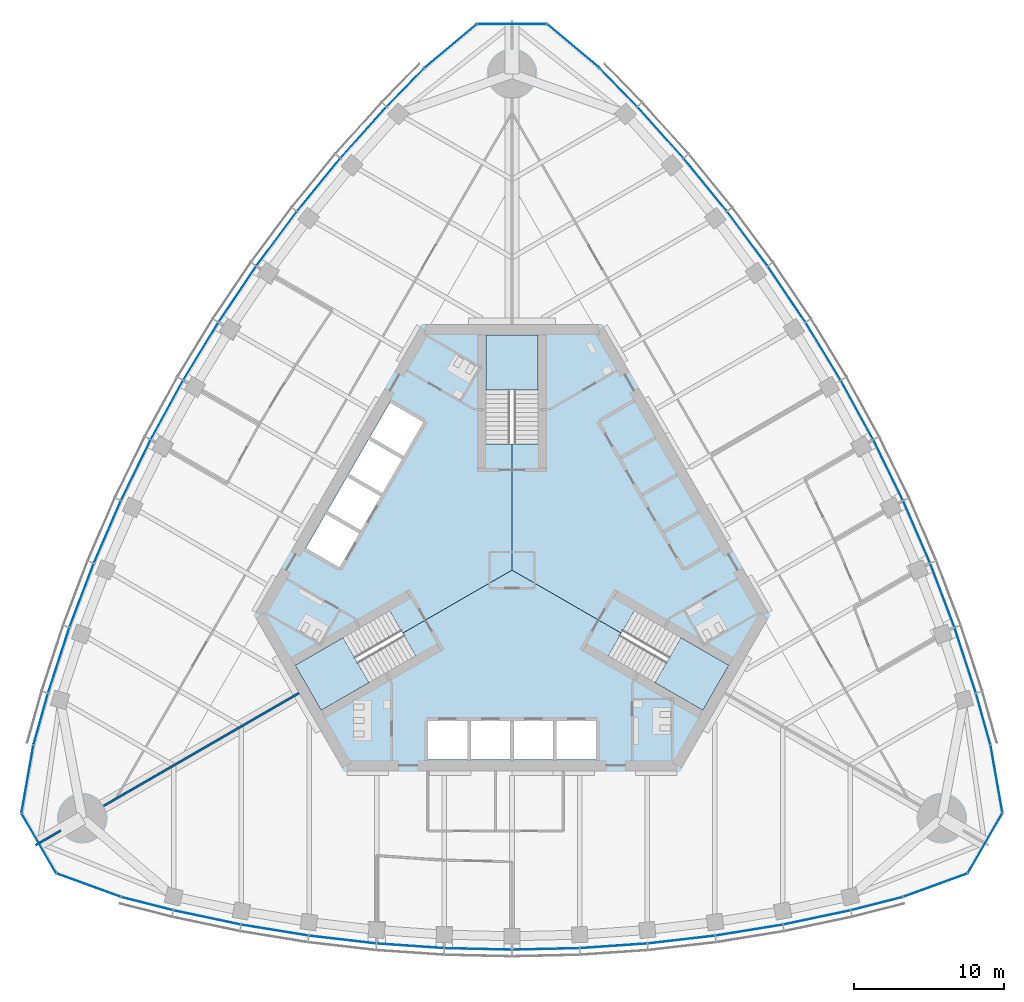
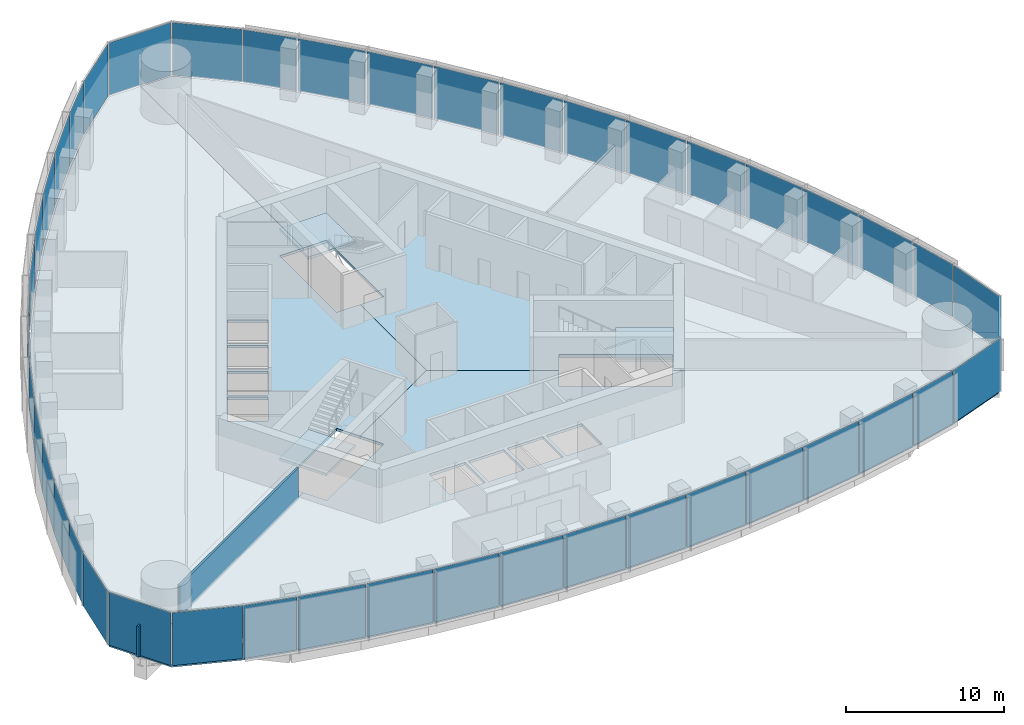
# One storey, part 10 of 19: 45 plates, 6 slabs, 2 walls, 9 elements without a shape of their own.
"""IFC4 building model written with IfcOpenShell, lengths in metres."""

from ifc_helpers import new_model, si_unit, direction, frame, frame_2d, origin, origin_2d, place, context, subcontext, project, spatial, polyline, rectangle, outline, extrude, material, layer, layer_set, type_object, element, aggregate, save


model = new_model("IFC4")

# Units and contexts
model_context = context("Model", 3, precision=1e-05, world=origin(), true_north=direction((0.0, 1.0)))
body_context = subcontext(model_context, "Body", "Model", "MODEL_VIEW")
ifc_project = project(units=[si_unit("LENGTHUNIT", "METRE"), si_unit("AREAUNIT", "SQUARE_METRE"), si_unit("VOLUMEUNIT", "CUBIC_METRE"), si_unit("PLANEANGLEUNIT", "RADIAN"), si_unit("MASSUNIT", "GRAM", prefix="KILO")], contexts=[model_context])

# Site, building, storey
site_placement = place(None, origin())
site = spatial("IfcSite", under=ifc_project, at=site_placement, CompositionType="ELEMENT")
building_placement = place(site_placement, origin())
building = spatial("IfcBuilding", under=site, at=building_placement, Name="Trefoil Bronze Tower", CompositionType="ELEMENT")
storey_placement = place(building_placement, frame((0.0, 0.0, 240.10009765625)))
storey = spatial("IfcBuildingStorey", under=building, at=storey_placement, Name="L55", CompositionType="ELEMENT", Elevation=240.10009765625)

# Curtain wall, plates
ifc_material_1 = material(Name="Tinted solar-control glass", Category="glass")
curtain_wall_type_1 = type_object("IfcCurtainWallType", Name="Bronze office curtain wall", PredefinedType="USERDEFINED", material=ifc_material_1)
curtain_wall_1_placement = place(storey_placement, origin())
curtain_wall_1 = element("IfcCurtainWall", 1, at=curtain_wall_1_placement, inside=storey, type_object=curtain_wall_type_1, Name="CW-A L55 F1", ObjectType="CURTAIN WALL", PredefinedType="USERDEFINED")
ifc_material_2 = material(Name="Tinted solar-control glass", Category="glass")
ifc_layer_1 = layer(ifc_material_2, 0.030029296875)
ifc_layer_set_1 = layer_set([ifc_layer_1], Name="Bronze office curtain wall glass panel")
plate_type_1 = type_object("IfcPlateType", Name="Bronze office curtain wall glass panel", PredefinedType="CURTAIN_PANEL", material=ifc_layer_set_1)
plate_1_placement = place(storey_placement, frame((-24.251220703125, -22.188232421875, -0.000244140625), z_axis=(0.0, 0.0, 1.0), x_axis=(0.968934035393, -0.247319297786, 0.0)))
plate_1 = element("IfcPlate", 2, at=plate_1_placement, type_object=plate_type_1, Name="CW-A L55 F1 panel 1", PredefinedType="CURTAIN_PANEL", context=body_context, shape_type="SweptSolid", body=[
    extrude(rectangle(XDim=3.483642578125, YDim=0.030029296875, at=origin_2d()), origin(), (0.0, 0.0, 1.0), 4.080078125),
])
plate_2_placement = place(storey_placement, frame((-20.270751953125, -23.105224609375, -0.000244140625), z_axis=(0.0, 0.0, 1.0), x_axis=(0.978394335897, -0.20674748725, 0.0)))
plate_2 = element("IfcPlate", 3, at=plate_2_placement, type_object=plate_type_1, Name="CW-A L55 F1 panel 2", PredefinedType="CURTAIN_PANEL", context=body_context, shape_type="SweptSolid", body=[
    extrude(rectangle(XDim=4.519287109375, YDim=0.030029296875, at=origin_2d()), origin(), (0.0, 0.0, 1.0), 4.080078125),
])
plate_3_placement = place(storey_placement, frame((-15.76611328125, -23.9482421875, -0.000244140625), z_axis=(0.0, 0.0, 1.0), x_axis=(0.986986549528, -0.160802832848, 0.0)))
plate_3 = element("IfcPlate", 4, at=plate_3_placement, type_object=plate_type_1, Name="CW-A L55 F1 panel 3", PredefinedType="CURTAIN_PANEL", context=body_context, shape_type="SweptSolid", body=[
    extrude(rectangle(XDim=4.479248046875, YDim=0.030029296875, at=origin_2d()), origin(), (0.0, 0.0, 1.0), 4.080078125),
])
plate_4_placement = place(storey_placement, frame((-11.261474609375, -24.57568359375, -0.000244140625), z_axis=(0.0, 0.0, 1.0), x_axis=(0.993381831741, -0.114858767043, 0.0)))
plate_4 = element("IfcPlate", 5, at=plate_4_placement, type_object=plate_type_1, Name="CW-A L55 F1 panel 4", PredefinedType="CURTAIN_PANEL", context=body_context, shape_type="SweptSolid", body=[
    extrude(rectangle(XDim=4.449951171875, YDim=0.030029296875, at=origin_2d()), origin(), (0.0, 0.0, 1.0), 4.080078125),
])
plate_5_placement = place(storey_placement, frame((-6.7568359375, -24.991455078125, -0.000244140625), z_axis=(0.0, 0.0, 1.0), x_axis=(0.99762252804, -0.068915103905, 0.0)))
plate_5 = element("IfcPlate", 6, at=plate_5_placement, type_object=plate_type_1, Name="CW-A L55 F1 panel 5", PredefinedType="CURTAIN_PANEL", context=body_context, shape_type="SweptSolid", body=[
    extrude(rectangle(XDim=4.4306640625, YDim=0.030029296875, at=origin_2d()), origin(), (0.0, 0.0, 1.0), 4.080078125),
])
plate_6_placement = place(storey_placement, frame((-2.252197265625, -25.198974609375, -0.000244140625), z_axis=(0.0, 0.0, 1.0), x_axis=(0.999736116243, -0.022971675577, 0.0)))
plate_6 = element("IfcPlate", 7, at=plate_6_placement, type_object=plate_type_1, Name="CW-A L55 F1 panel 6", PredefinedType="CURTAIN_PANEL", context=body_context, shape_type="SweptSolid", body=[
    extrude(rectangle(XDim=4.421142578125, YDim=0.030029296875, at=origin_2d()), origin(), (0.0, 0.0, 1.0), 4.080078125),
])
plate_7_placement = place(storey_placement, frame((2.252197265625, -25.198974609375, -0.000244140625), z_axis=(0.0, 0.0, 1.0), x_axis=(0.999736116243, 0.022971675577, 0.0)))
plate_7 = element("IfcPlate", 8, at=plate_7_placement, type_object=plate_type_1, Name="CW-A L55 F1 panel 7", PredefinedType="CURTAIN_PANEL", context=body_context, shape_type="SweptSolid", body=[
    extrude(rectangle(XDim=4.421142578125, YDim=0.030029296875, at=origin_2d()), origin(), (0.0, 0.0, 1.0), 4.080078125),
])
plate_8_placement = place(storey_placement, frame((6.7568359375, -24.991455078125, -0.000244140625), z_axis=(0.0, 0.0, 1.0), x_axis=(0.99762252804, 0.068915103905, 0.0)))
plate_8 = element("IfcPlate", 9, at=plate_8_placement, type_object=plate_type_1, Name="CW-A L55 F1 panel 8", PredefinedType="CURTAIN_PANEL", context=body_context, shape_type="SweptSolid", body=[
    extrude(rectangle(XDim=4.4306640625, YDim=0.030029296875, at=origin_2d()), origin(), (0.0, 0.0, 1.0), 4.080078125),
])
plate_9_placement = place(storey_placement, frame((11.261474609375, -24.57568359375, -0.000244140625), z_axis=(0.0, 0.0, 1.0), x_axis=(0.993381831741, 0.114858767043, 0.0)))
plate_9 = element("IfcPlate", 10, at=plate_9_placement, type_object=plate_type_1, Name="CW-A L55 F1 panel 9", PredefinedType="CURTAIN_PANEL", context=body_context, shape_type="SweptSolid", body=[
    extrude(rectangle(XDim=4.449951171875, YDim=0.030029296875, at=origin_2d()), origin(), (0.0, 0.0, 1.0), 4.080078125),
])
plate_10_placement = place(storey_placement, frame((15.76611328125, -23.9482421875, -0.000244140625), z_axis=(0.0, 0.0, 1.0), x_axis=(0.986986549528, 0.160802832848, 0.0)))
plate_10 = element("IfcPlate", 11, at=plate_10_placement, type_object=plate_type_1, Name="CW-A L55 F1 panel 10", PredefinedType="CURTAIN_PANEL", context=body_context, shape_type="SweptSolid", body=[
    extrude(rectangle(XDim=4.479248046875, YDim=0.030029296875, at=origin_2d()), origin(), (0.0, 0.0, 1.0), 4.080078125),
])
plate_11_placement = place(storey_placement, frame((20.270751953125, -23.105224609375, -0.000244140625), z_axis=(0.0, 0.0, 1.0), x_axis=(0.978394335897, 0.20674748725, 0.0)))
plate_11 = element("IfcPlate", 12, at=plate_11_placement, type_object=plate_type_1, Name="CW-A L55 F1 panel 11", PredefinedType="CURTAIN_PANEL", context=body_context, shape_type="SweptSolid", body=[
    extrude(rectangle(XDim=4.519287109375, YDim=0.030029296875, at=origin_2d()), origin(), (0.0, 0.0, 1.0), 4.080078125),
])
plate_12_placement = place(storey_placement, frame((24.251220703125, -22.188232421875, -0.000244140625), z_axis=(0.0, 0.0, 1.0), x_axis=(0.968934035393, 0.247319297786, 0.0)))
plate_12 = element("IfcPlate", 13, at=plate_12_placement, type_object=plate_type_1, Name="CW-A L55 F1 panel 12", PredefinedType="CURTAIN_PANEL", context=body_context, shape_type="SweptSolid", body=[
    extrude(rectangle(XDim=3.483642578125, YDim=0.030029296875, at=origin_2d()), origin(), (0.0, 0.0, 1.0), 4.080078125),
])
aggregate(curtain_wall_1, [plate_1, plate_2, plate_3, plate_4, plate_5, plate_6, plate_7, plate_8, plate_9, plate_10, plate_11, plate_12])

curtain_wall_2_placement = place(storey_placement, origin())
curtain_wall_2 = element("IfcCurtainWall", 14, at=curtain_wall_2_placement, inside=storey, type_object=curtain_wall_type_1, Name="CW-A L55 F2", ObjectType="CURTAIN WALL", PredefinedType="USERDEFINED")
plate_13_placement = place(storey_placement, frame((31.341064453125, -9.907958984375, -0.000244140625), z_axis=(0.0, 0.0, 1.0), x_axis=(-0.270282222968, 0.962781138134, 0.0)))
plate_13 = element("IfcPlate", 15, at=plate_13_placement, type_object=plate_type_1, Name="CW-A L55 F2 panel 1", PredefinedType="CURTAIN_PANEL", context=body_context, shape_type="SweptSolid", body=[
    extrude(rectangle(XDim=3.483642578125, YDim=0.030029296875, at=origin_2d()), origin(), (0.0, 0.0, 1.0), 4.080078125),
])
plate_14_placement = place(storey_placement, frame((30.14501953125, -6.002197265625, -0.000244140625), z_axis=(0.0, 0.0, 1.0), x_axis=(-0.310148591821, 0.950688093431, 0.0)))
plate_14 = element("IfcPlate", 16, at=plate_14_placement, type_object=plate_type_1, Name="CW-A L55 F2 panel 2", PredefinedType="CURTAIN_PANEL", context=body_context, shape_type="SweptSolid", body=[
    extrude(rectangle(XDim=4.519287109375, YDim=0.030029296875, at=origin_2d()), origin(), (0.0, 0.0, 1.0), 4.080078125),
])
plate_15_placement = place(storey_placement, frame((28.622802734375, -1.6796875, -0.000244140625), z_axis=(0.0, 0.0, 1.0), x_axis=(-0.354233936517, 0.935156841508, 0.0)))
plate_15 = element("IfcPlate", 17, at=plate_15_placement, type_object=plate_type_1, Name="CW-A L55 F2 panel 3", PredefinedType="CURTAIN_PANEL", context=body_context, shape_type="SweptSolid", body=[
    extrude(rectangle(XDim=4.479248046875, YDim=0.030029296875, at=origin_2d()), origin(), (0.0, 0.0, 1.0), 4.080078125),
])
plate_16_placement = place(storey_placement, frame((26.913818359375, 2.53515625, -0.000244140625), z_axis=(0.0, 0.0, 1.0), x_axis=(-0.397220305764, 0.917723285467, 0.0)))
plate_16 = element("IfcPlate", 18, at=plate_16_placement, type_object=plate_type_1, Name="CW-A L55 F2 panel 4", PredefinedType="CURTAIN_PANEL", context=body_context, shape_type="SweptSolid", body=[
    extrude(rectangle(XDim=4.449951171875, YDim=0.030029296875, at=origin_2d()), origin(), (0.0, 0.0, 1.0), 4.080078125),
])
plate_17_placement = place(storey_placement, frame((25.021728515625, 6.64404296875, -0.000244140625), z_axis=(0.0, 0.0, 1.0), x_axis=(-0.439129033334, 0.898424004623, 0.0)))
plate_17 = element("IfcPlate", 19, at=plate_17_placement, type_object=plate_type_1, Name="CW-A L55 F2 panel 5", PredefinedType="CURTAIN_PANEL", context=body_context, shape_type="SweptSolid", body=[
    extrude(rectangle(XDim=4.4306640625, YDim=0.030029296875, at=origin_2d()), origin(), (0.0, 0.0, 1.0), 4.080078125),
])
plate_18_placement = place(storey_placement, frame((22.948974609375, 10.64892578125, -0.000244140625), z_axis=(0.0, 0.0, 1.0), x_axis=(-0.479974003504, 0.877282711536, 0.0)))
plate_18 = element("IfcPlate", 20, at=plate_18_placement, type_object=plate_type_1, Name="CW-A L55 F2 panel 6", PredefinedType="CURTAIN_PANEL", context=body_context, shape_type="SweptSolid", body=[
    extrude(rectangle(XDim=4.421142578125, YDim=0.030029296875, at=origin_2d()), origin(), (0.0, 0.0, 1.0), 4.080078125),
])
plate_19_placement = place(storey_placement, frame((20.69677734375, 14.550048828125, -0.000244140625), z_axis=(0.0, 0.0, 1.0), x_axis=(-0.519762112739, 0.854311035959, 0.0)))
plate_19 = element("IfcPlate", 21, at=plate_19_placement, type_object=plate_type_1, Name="CW-A L55 F2 panel 7", PredefinedType="CURTAIN_PANEL", context=body_context, shape_type="SweptSolid", body=[
    extrude(rectangle(XDim=4.421142578125, YDim=0.030029296875, at=origin_2d()), origin(), (0.0, 0.0, 1.0), 4.080078125),
])
plate_20_placement = place(storey_placement, frame((18.264892578125, 18.347412109375, -0.000244140625), z_axis=(0.0, 0.0, 1.0), x_axis=(-0.558493494706, 0.829508900718, 0.0)))
plate_20 = element("IfcPlate", 22, at=plate_20_placement, type_object=plate_type_1, Name="CW-A L55 F2 panel 8", PredefinedType="CURTAIN_PANEL", context=body_context, shape_type="SweptSolid", body=[
    extrude(rectangle(XDim=4.4306640625, YDim=0.030029296875, at=origin_2d()), origin(), (0.0, 0.0, 1.0), 4.080078125),
])
plate_21_placement = place(storey_placement, frame((15.65234375, 22.04052734375, -0.000244140625), z_axis=(0.0, 0.0, 1.0), x_axis=(-0.596161525977, 0.802864518425, 0.0)))
plate_21 = element("IfcPlate", 23, at=plate_21_placement, type_object=plate_type_1, Name="CW-A L55 F2 panel 9", PredefinedType="CURTAIN_PANEL", context=body_context, shape_type="SweptSolid", body=[
    extrude(rectangle(XDim=4.449951171875, YDim=0.030029296875, at=origin_2d()), origin(), (0.0, 0.0, 1.0), 4.080078125),
])
plate_22_placement = place(storey_placement, frame((12.856689453125, 25.6279296875, -0.000244140625), z_axis=(0.0, 0.0, 1.0), x_axis=(-0.63275261301, 0.774354008661, 0.0)))
plate_22 = element("IfcPlate", 24, at=plate_22_placement, type_object=plate_type_1, Name="CW-A L55 F2 panel 10", PredefinedType="CURTAIN_PANEL", context=body_context, shape_type="SweptSolid", body=[
    extrude(rectangle(XDim=4.479248046875, YDim=0.030029296875, at=origin_2d()), origin(), (0.0, 0.0, 1.0), 4.080078125),
])
plate_23_placement = place(storey_placement, frame((9.87451171875, 29.107666015625, -0.000244140625), z_axis=(0.0, 0.0, 1.0), x_axis=(-0.668245744076, 0.743940606181, 0.0)))
plate_23 = element("IfcPlate", 25, at=plate_23_placement, type_object=plate_type_1, Name="CW-A L55 F2 panel 11", PredefinedType="CURTAIN_PANEL", context=body_context, shape_type="SweptSolid", body=[
    extrude(rectangle(XDim=4.519287109375, YDim=0.030029296875, at=origin_2d()), origin(), (0.0, 0.0, 1.0), 4.080078125),
])
plate_24_placement = place(storey_placement, frame((7.08984375, 32.09619140625, -0.000244140625), z_axis=(0.0, 0.0, 1.0), x_axis=(-0.698651812425, 0.715461840349, 0.0)))
plate_24 = element("IfcPlate", 26, at=plate_24_placement, type_object=plate_type_1, Name="CW-A L55 F2 panel 12", PredefinedType="CURTAIN_PANEL", context=body_context, shape_type="SweptSolid", body=[
    extrude(rectangle(XDim=3.483642578125, YDim=0.030029296875, at=origin_2d()), origin(), (0.0, 0.0, 1.0), 4.080078125),
])
aggregate(curtain_wall_2, [plate_13, plate_14, plate_15, plate_16, plate_17, plate_18, plate_19, plate_20, plate_21, plate_22, plate_23, plate_24])

curtain_wall_3_placement = place(storey_placement, origin())
curtain_wall_3 = element("IfcCurtainWall", 27, at=curtain_wall_3_placement, inside=storey, type_object=curtain_wall_type_1, Name="CW-A L55 F3", ObjectType="CURTAIN WALL", PredefinedType="USERDEFINED")
plate_25_placement = place(storey_placement, frame((-7.08984375, 32.09619140625, -0.000244140625), z_axis=(0.0, 0.0, 1.0), x_axis=(-0.698651812425, -0.715461840349, 0.0)))
plate_25 = element("IfcPlate", 28, at=plate_25_placement, type_object=plate_type_1, Name="CW-A L55 F3 panel 1", PredefinedType="CURTAIN_PANEL", context=body_context, shape_type="SweptSolid", body=[
    extrude(rectangle(XDim=3.483642578125, YDim=0.030029296875, at=origin_2d()), origin(), (0.0, 0.0, 1.0), 4.080078125),
])
plate_26_placement = place(storey_placement, frame((-9.87451171875, 29.107666015625, -0.000244140625), z_axis=(0.0, 0.0, 1.0), x_axis=(-0.668245744076, -0.743940606181, 0.0)))
plate_26 = element("IfcPlate", 29, at=plate_26_placement, type_object=plate_type_1, Name="CW-A L55 F3 panel 2", PredefinedType="CURTAIN_PANEL", context=body_context, shape_type="SweptSolid", body=[
    extrude(rectangle(XDim=4.519287109375, YDim=0.030029296875, at=origin_2d()), origin(), (0.0, 0.0, 1.0), 4.080078125),
])
plate_27_placement = place(storey_placement, frame((-12.856689453125, 25.6279296875, -0.000244140625), z_axis=(0.0, 0.0, 1.0), x_axis=(-0.63275261301, -0.774354008661, 0.0)))
plate_27 = element("IfcPlate", 30, at=plate_27_placement, type_object=plate_type_1, Name="CW-A L55 F3 panel 3", PredefinedType="CURTAIN_PANEL", context=body_context, shape_type="SweptSolid", body=[
    extrude(rectangle(XDim=4.479248046875, YDim=0.030029296875, at=origin_2d()), origin(), (0.0, 0.0, 1.0), 4.080078125),
])
plate_28_placement = place(storey_placement, frame((-15.65234375, 22.04052734375, -0.000244140625), z_axis=(0.0, 0.0, 1.0), x_axis=(-0.596161525977, -0.802864518425, 0.0)))
plate_28 = element("IfcPlate", 31, at=plate_28_placement, type_object=plate_type_1, Name="CW-A L55 F3 panel 4", PredefinedType="CURTAIN_PANEL", context=body_context, shape_type="SweptSolid", body=[
    extrude(rectangle(XDim=4.449951171875, YDim=0.030029296875, at=origin_2d()), origin(), (0.0, 0.0, 1.0), 4.080078125),
])
plate_29_placement = place(storey_placement, frame((-18.264892578125, 18.347412109375, -0.000244140625), z_axis=(0.0, 0.0, 1.0), x_axis=(-0.558493494706, -0.829508900718, 0.0)))
plate_29 = element("IfcPlate", 32, at=plate_29_placement, type_object=plate_type_1, Name="CW-A L55 F3 panel 5", PredefinedType="CURTAIN_PANEL", context=body_context, shape_type="SweptSolid", body=[
    extrude(rectangle(XDim=4.4306640625, YDim=0.030029296875, at=origin_2d()), origin(), (0.0, 0.0, 1.0), 4.080078125),
])
plate_30_placement = place(storey_placement, frame((-20.69677734375, 14.550048828125, -0.000244140625), z_axis=(0.0, 0.0, 1.0), x_axis=(-0.519762112739, -0.854311035959, 0.0)))
plate_30 = element("IfcPlate", 33, at=plate_30_placement, type_object=plate_type_1, Name="CW-A L55 F3 panel 6", PredefinedType="CURTAIN_PANEL", context=body_context, shape_type="SweptSolid", body=[
    extrude(rectangle(XDim=4.421142578125, YDim=0.030029296875, at=origin_2d()), origin(), (0.0, 0.0, 1.0), 4.080078125),
])
plate_31_placement = place(storey_placement, frame((-22.948974609375, 10.64892578125, -0.000244140625), z_axis=(0.0, 0.0, 1.0), x_axis=(-0.479974003504, -0.877282711536, 0.0)))
plate_31 = element("IfcPlate", 34, at=plate_31_placement, type_object=plate_type_1, Name="CW-A L55 F3 panel 7", PredefinedType="CURTAIN_PANEL", context=body_context, shape_type="SweptSolid", body=[
    extrude(rectangle(XDim=4.421142578125, YDim=0.030029296875, at=origin_2d()), origin(), (0.0, 0.0, 1.0), 4.080078125),
])
plate_32_placement = place(storey_placement, frame((-25.021728515625, 6.64404296875, -0.000244140625), z_axis=(0.0, 0.0, 1.0), x_axis=(-0.439129033334, -0.898424004623, 0.0)))
plate_32 = element("IfcPlate", 35, at=plate_32_placement, type_object=plate_type_1, Name="CW-A L55 F3 panel 8", PredefinedType="CURTAIN_PANEL", context=body_context, shape_type="SweptSolid", body=[
    extrude(rectangle(XDim=4.4306640625, YDim=0.030029296875, at=origin_2d()), origin(), (0.0, 0.0, 1.0), 4.080078125),
])
plate_33_placement = place(storey_placement, frame((-26.913818359375, 2.53515625, -0.000244140625), z_axis=(0.0, 0.0, 1.0), x_axis=(-0.397220305764, -0.917723285467, 0.0)))
plate_33 = element("IfcPlate", 36, at=plate_33_placement, type_object=plate_type_1, Name="CW-A L55 F3 panel 9", PredefinedType="CURTAIN_PANEL", context=body_context, shape_type="SweptSolid", body=[
    extrude(rectangle(XDim=4.449951171875, YDim=0.030029296875, at=origin_2d()), origin(), (0.0, 0.0, 1.0), 4.080078125),
])
plate_34_placement = place(storey_placement, frame((-28.622802734375, -1.6796875, -0.000244140625), z_axis=(0.0, 0.0, 1.0), x_axis=(-0.354233936517, -0.935156841508, 0.0)))
plate_34 = element("IfcPlate", 37, at=plate_34_placement, type_object=plate_type_1, Name="CW-A L55 F3 panel 10", PredefinedType="CURTAIN_PANEL", context=body_context, shape_type="SweptSolid", body=[
    extrude(rectangle(XDim=4.479248046875, YDim=0.030029296875, at=origin_2d()), origin(), (0.0, 0.0, 1.0), 4.080078125),
])
plate_35_placement = place(storey_placement, frame((-30.14501953125, -6.002197265625, -0.000244140625), z_axis=(0.0, 0.0, 1.0), x_axis=(-0.310148591821, -0.950688093431, 0.0)))
plate_35 = element("IfcPlate", 38, at=plate_35_placement, type_object=plate_type_1, Name="CW-A L55 F3 panel 11", PredefinedType="CURTAIN_PANEL", context=body_context, shape_type="SweptSolid", body=[
    extrude(rectangle(XDim=4.519287109375, YDim=0.030029296875, at=origin_2d()), origin(), (0.0, 0.0, 1.0), 4.080078125),
])
plate_36_placement = place(storey_placement, frame((-31.341064453125, -9.907958984375, -0.000244140625), z_axis=(0.0, 0.0, 1.0), x_axis=(-0.270282222968, -0.962781138134, 0.0)))
plate_36 = element("IfcPlate", 39, at=plate_36_placement, type_object=plate_type_1, Name="CW-A L55 F3 panel 12", PredefinedType="CURTAIN_PANEL", context=body_context, shape_type="SweptSolid", body=[
    extrude(rectangle(XDim=3.483642578125, YDim=0.030029296875, at=origin_2d()), origin(), (0.0, 0.0, 1.0), 4.080078125),
])
aggregate(curtain_wall_3, [plate_25, plate_26, plate_27, plate_28, plate_29, plate_30, plate_31, plate_32, plate_33, plate_34, plate_35, plate_36])

ifc_material_3 = material(Name="Tinted solar-control glass", Category="glass")
curtain_wall_type_2 = type_object("IfcCurtainWallType", Name="Bronze rounded corner curtain wall", PredefinedType="USERDEFINED", material=ifc_material_3)
curtain_wall_4_placement = place(storey_placement, origin())
curtain_wall_4 = element("IfcCurtainWall", 40, at=curtain_wall_4_placement, inside=storey, type_object=curtain_wall_type_2, Name="CW-B L55 K1", ObjectType="CURTAIN WALL", PredefinedType="USERDEFINED")
ifc_material_4 = material(Name="Tinted solar-control glass", Category="glass")
ifc_layer_2 = layer(ifc_material_4, 0.030029296875)
ifc_layer_set_2 = layer_set([ifc_layer_2], Name="Bronze rounded corner curtain wall glass panel")
plate_type_2 = type_object("IfcPlateType", Name="Bronze rounded corner curtain wall glass panel", PredefinedType="CURTAIN_PANEL", material=ifc_layer_set_2)
plate_37_placement = place(storey_placement, frame((28.1298828125, -20.96484375, -0.000244140625), z_axis=(0.0, 0.0, 1.0), x_axis=(0.939692620786, 0.342020143326, 0.0)))
plate_37 = element("IfcPlate", 41, at=plate_37_placement, type_object=plate_type_2, Name="CW-B L55 K1 panel 1", PredefinedType="CURTAIN_PANEL", context=body_context, shape_type="SweptSolid", body=[
    extrude(rectangle(XDim=4.500244140625, YDim=0.030029296875, at=origin_2d()), origin(), (0.0, 0.0, 1.0), 4.080078125),
])
plate_38_placement = place(storey_placement, frame((31.46484375, -18.166259765625, -0.000244140625), z_axis=(0.0, 0.0, 1.0), x_axis=(0.5, 0.866025403784, 0.0)))
plate_38 = element("IfcPlate", 42, at=plate_38_placement, type_object=plate_type_2, Name="CW-B L55 K1 panel 2", PredefinedType="CURTAIN_PANEL", context=body_context, shape_type="SweptSolid", body=[
    extrude(rectangle(XDim=4.500244140625, YDim=0.030029296875, at=origin_2d()), origin(), (0.0, 0.0, 1.0), 4.080078125),
])
plate_39_placement = place(storey_placement, frame((32.220947265625, -13.878662109375, -0.000244140625), z_axis=(0.0, 0.0, 1.0), x_axis=(-0.173648177667, 0.984807753012, 0.0)))
plate_39 = element("IfcPlate", 43, at=plate_39_placement, type_object=plate_type_2, Name="CW-B L55 K1 panel 3", PredefinedType="CURTAIN_PANEL", context=body_context, shape_type="SweptSolid", body=[
    extrude(rectangle(XDim=4.500244140625, YDim=0.030029296875, at=origin_2d()), origin(), (0.0, 0.0, 1.0), 4.080078125),
])
aggregate(curtain_wall_4, [plate_37, plate_38, plate_39])

curtain_wall_5_placement = place(storey_placement, origin())
curtain_wall_5 = element("IfcCurtainWall", 44, at=curtain_wall_5_placement, inside=storey, type_object=curtain_wall_type_2, Name="CW-B L55 K2", ObjectType="CURTAIN WALL", PredefinedType="USERDEFINED")
plate_40_placement = place(storey_placement, frame((4.091064453125, 34.843505859375, -0.000244140625), z_axis=(0.0, 0.0, 1.0), x_axis=(-0.766044443119, 0.642787609687, 0.0)))
plate_40 = element("IfcPlate", 45, at=plate_40_placement, type_object=plate_type_2, Name="CW-B L55 K2 panel 1", PredefinedType="CURTAIN_PANEL", context=body_context, shape_type="SweptSolid", body=[
    extrude(rectangle(XDim=4.500244140625, YDim=0.030029296875, at=origin_2d()), origin(), (0.0, 0.0, 1.0), 4.080078125),
])
plate_41_placement = place(storey_placement, frame((0.0, 36.33251953125, -0.000244140625), z_axis=(0.0, 0.0, 1.0), x_axis=(-1.0, 0.0, 0.0)))
plate_41 = element("IfcPlate", 46, at=plate_41_placement, type_object=plate_type_2, Name="CW-B L55 K2 panel 2", PredefinedType="CURTAIN_PANEL", context=body_context, shape_type="SweptSolid", body=[
    extrude(rectangle(XDim=4.500244140625, YDim=0.030029296875, at=origin_2d()), origin(), (0.0, 0.0, 1.0), 4.080078125),
])
plate_42_placement = place(storey_placement, frame((-4.091064453125, 34.843505859375, -0.000244140625), z_axis=(0.0, 0.0, 1.0), x_axis=(-0.766044443119, -0.642787609687, 0.0)))
plate_42 = element("IfcPlate", 47, at=plate_42_placement, type_object=plate_type_2, Name="CW-B L55 K2 panel 3", PredefinedType="CURTAIN_PANEL", context=body_context, shape_type="SweptSolid", body=[
    extrude(rectangle(XDim=4.500244140625, YDim=0.030029296875, at=origin_2d()), origin(), (0.0, 0.0, 1.0), 4.080078125),
])
aggregate(curtain_wall_5, [plate_40, plate_41, plate_42])

curtain_wall_6_placement = place(storey_placement, origin())
curtain_wall_6 = element("IfcCurtainWall", 48, at=curtain_wall_6_placement, inside=storey, type_object=curtain_wall_type_2, Name="CW-B L55 K3", ObjectType="CURTAIN WALL", PredefinedType="USERDEFINED")
plate_43_placement = place(storey_placement, frame((-32.220947265625, -13.878662109375, -0.000244140625), z_axis=(0.0, 0.0, 1.0), x_axis=(-0.173648177667, -0.984807753012, 0.0)))
plate_43 = element("IfcPlate", 49, at=plate_43_placement, type_object=plate_type_2, Name="CW-B L55 K3 panel 1", PredefinedType="CURTAIN_PANEL", context=body_context, shape_type="SweptSolid", body=[
    extrude(rectangle(XDim=4.500244140625, YDim=0.030029296875, at=origin_2d()), origin(), (0.0, 0.0, 1.0), 4.080078125),
])
plate_44_placement = place(storey_placement, frame((-31.46484375, -18.166259765625, -0.000244140625), z_axis=(0.0, 0.0, 1.0), x_axis=(0.5, -0.866025403784, 0.0)))
plate_44 = element("IfcPlate", 50, at=plate_44_placement, type_object=plate_type_2, Name="CW-B L55 K3 panel 2", PredefinedType="CURTAIN_PANEL", context=body_context, shape_type="SweptSolid", body=[
    extrude(rectangle(XDim=4.500244140625, YDim=0.030029296875, at=origin_2d()), origin(), (0.0, 0.0, 1.0), 4.080078125),
])
plate_45_placement = place(storey_placement, frame((-28.1298828125, -20.96484375, -0.000244140625), z_axis=(0.0, 0.0, 1.0), x_axis=(0.939692620786, -0.342020143326, 0.0)))
plate_45 = element("IfcPlate", 51, at=plate_45_placement, type_object=plate_type_2, Name="CW-B L55 K3 panel 3", PredefinedType="CURTAIN_PANEL", context=body_context, shape_type="SweptSolid", body=[
    extrude(rectangle(XDim=4.500244140625, YDim=0.030029296875, at=origin_2d()), origin(), (0.0, 0.0, 1.0), 4.080078125),
])
aggregate(curtain_wall_6, [plate_43, plate_44, plate_45])

# Slabs
ifc_material_5 = material(Name="Concrete B30", Category="concrete")
ifc_layer_3 = layer(ifc_material_5, 0.199951171875)
ifc_layer_set_3 = layer_set([ifc_layer_3], Name="Floor slab 200")
slab_type_1 = type_object("IfcSlabType", Name="Floor slab 200", PredefinedType="FLOOR", material=ifc_layer_set_3)
slab_1_placement = place(storey_placement, frame((0.0, 0.0, -0.2001953125)))
element("IfcSlab", 52, at=slab_1_placement, inside=storey, type_object=slab_type_1, Name="Floor slab L55 face 1", PredefinedType="FLOOR", context=body_context, shape_type="SweptSolid", body=[
    extrude(outline(polyline([(18.0, -23.48291015625), (13.5, -24.216064453125), (9.0, -24.736328125), (4.5, -25.047119140625), (0.0, -25.150634765625), (-4.5, -25.047119140625), (-9.0, -24.736328125), (-13.5, -24.216064453125), (-18.0, -23.48291015625), (-22.5, -22.531982421875), (-25.952880859375, -21.650634765625), (-30.23828125, -20.0908203125), (-31.37841796875, -18.1162109375), (-13.510009765625, -7.800048828125), (-12.6474609375, -9.2939453125), (-6.412109375, -5.69384765625), (-7.274658203125, -4.199951171875), (0.0, 0.0), (7.274658203125, -4.199951171875), (6.412109375, -5.69384765625), (12.6474609375, -9.2939453125), (13.510009765625, -7.800048828125), (31.37841796875, -18.1162109375), (30.23828125, -20.0908203125), (25.952880859375, -21.650634765625), (22.5, -22.531982421875), (18.0, -23.48291015625)]), holes=[polyline([(-5.574951171875, -10.02490234375), (-2.97509765625, -10.02490234375), (-2.97509765625, -12.60009765625), (-5.574951171875, -12.60009765625), (-5.574951171875, -10.02490234375)]), polyline([(-2.72509765625, -10.02490234375), (-0.125, -10.02490234375), (-0.125, -12.60009765625), (-2.72509765625, -12.60009765625), (-2.72509765625, -10.02490234375)]), polyline([(0.125, -10.02490234375), (2.72509765625, -10.02490234375), (2.72509765625, -12.60009765625), (0.125, -12.60009765625), (0.125, -10.02490234375)]), polyline([(2.97509765625, -10.02490234375), (5.574951171875, -10.02490234375), (5.574951171875, -12.60009765625), (2.97509765625, -12.60009765625), (2.97509765625, -10.02490234375)])]), origin(), (0.0, 0.0, 1.0), 0.2001953125),
])
slab_2_placement = place(storey_placement, frame((0.0, 0.0, -0.2001953125)))
element("IfcSlab", 53, at=slab_2_placement, inside=storey, type_object=slab_type_1, Name="Floor slab L55 face 2", PredefinedType="FLOOR", context=body_context, shape_type="SweptSolid", body=[
    extrude(outline(polyline([(11.3369140625, 27.329833984375), (14.2216796875, 23.79931640625), (16.92236328125, 20.162353515625), (19.441650390625, 16.420654296875), (21.781005859375, 12.575439453125), (23.941650390625, 8.62646484375), (25.92236328125, 4.573974609375), (27.7216796875, 0.416748046875), (29.3369140625, -3.846923828125), (30.76318359375, -8.219482421875), (31.7265625, -11.650634765625), (32.518310546875, -16.1416015625), (31.37841796875, -18.1162109375), (13.510009765625, -7.800048828125), (14.37255859375, -6.30615234375), (8.13720703125, -2.7060546875), (7.274658203125, -4.199951171875), (0.0, 0.0), (0.0, 8.39990234375), (1.72509765625, 8.39990234375), (1.72509765625, 15.60009765625), (0.0, 15.60009765625), (0.0, 36.232666015625), (2.280029296875, 36.232666015625), (5.7734375, 33.30126953125), (8.26318359375, 30.75146484375), (11.3369140625, 27.329833984375)])), origin(), (0.0, 0.0, 1.0), 0.2001953125),
])
slab_3_placement = place(storey_placement, frame((0.0, 0.0, -0.2001953125)))
element("IfcSlab", 54, at=slab_3_placement, inside=storey, type_object=slab_type_1, Name="Floor slab L55 face 3", PredefinedType="FLOOR", context=body_context, shape_type="SweptSolid", body=[
    extrude(outline(polyline([(-29.3369140625, -3.846923828125), (-27.7216796875, 0.416748046875), (-25.92236328125, 4.573974609375), (-23.941650390625, 8.62646484375), (-21.781005859375, 12.575439453125), (-19.441650390625, 16.420654296875), (-16.92236328125, 20.162353515625), (-14.2216796875, 23.79931640625), (-11.3369140625, 27.329833984375), (-8.26318359375, 30.75146484375), (-5.7734375, 33.30126953125), (-2.280029296875, 36.232666015625), (0.0, 36.232666015625), (0.0, 15.60009765625), (-1.72509765625, 15.60009765625), (-1.72509765625, 8.39990234375), (0.0, 8.39990234375), (0.0, 0.0), (-7.274658203125, -4.199951171875), (-8.13720703125, -2.7060546875), (-14.37255859375, -6.30615234375), (-13.510009765625, -7.800048828125), (-31.37841796875, -18.1162109375), (-32.518310546875, -16.1416015625), (-31.7265625, -11.650634765625), (-30.76318359375, -8.219482421875), (-29.3369140625, -3.846923828125)]), holes=[polyline([(-5.894287109375, 9.840576171875), (-7.1943359375, 7.5888671875), (-9.42431640625, 8.87646484375), (-8.12451171875, 11.128173828125), (-5.894287109375, 9.840576171875)]), polyline([(-7.3193359375, 7.372314453125), (-8.619384765625, 5.120849609375), (-10.849365234375, 6.408203125), (-9.54931640625, 8.659912109375), (-7.3193359375, 7.372314453125)]), polyline([(-8.744384765625, 4.904296875), (-10.04443359375, 2.652587890625), (-12.2744140625, 3.940185546875), (-10.974365234375, 6.191650390625), (-8.744384765625, 4.904296875)]), polyline([(-10.16943359375, 2.43603515625), (-11.469482421875, 0.184326171875), (-13.699462890625, 1.471923828125), (-12.3994140625, 3.7236328125), (-10.16943359375, 2.43603515625)])]), origin(), (0.0, 0.0, 1.0), 0.2001953125),
])

# Stair, slab
ifc_material_6 = material(Name="Precast concrete B80", Category="concrete")
stair_type = type_object("IfcStairType", Name="Exit stair 26 risers", PredefinedType="HALF_TURN_STAIR", material=ifc_material_6)
stair_1_placement = place(storey_placement, origin())
stair_1 = element("IfcStair", 55, at=stair_1_placement, inside=storey, type_object=stair_type, Name="Stair ST1 L55", PredefinedType="HALF_TURN_STAIR")
ifc_material_7 = material(Name="Concrete B30", Category="concrete")
ifc_layer_4 = layer(ifc_material_7, 0.199951171875)
ifc_layer_set_4 = layer_set([ifc_layer_4], Name="Stair landing 200")
slab_type_2 = type_object("IfcSlabType", Name="Stair landing 200", PredefinedType="LANDING", material=ifc_layer_set_4)
slab_4_placement = place(storey_placement, frame((0.0, 0.0, 1.89990234375)))
slab_4 = element("IfcSlab", 56, at=slab_4_placement, type_object=slab_type_2, Name="ST1 landing 1", PredefinedType="LANDING", context=body_context, shape_type="SweptSolid", body=[
    extrude(outline(polyline([(9.512451171875, -7.48388671875), (12.69091796875, -9.31884765625), (14.415771484375, -6.3310546875), (11.237548828125, -4.49609375), (9.512451171875, -7.48388671875)])), origin(), (0.0, 0.0, 1.0), 0.199951171875),
])
aggregate(stair_1, [slab_4])

stair_2_placement = place(storey_placement, origin())
stair_2 = element("IfcStair", 57, at=stair_2_placement, inside=storey, type_object=stair_type, Name="Stair ST2 L55", PredefinedType="HALF_TURN_STAIR")
slab_5_placement = place(storey_placement, frame((0.0, 0.0, 1.89990234375)))
slab_5 = element("IfcSlab", 58, at=slab_5_placement, type_object=slab_type_2, Name="ST2 landing 1", PredefinedType="LANDING", context=body_context, shape_type="SweptSolid", body=[
    extrude(outline(polyline([(1.72509765625, 11.97998046875), (1.72509765625, 15.64990234375), (-1.72509765625, 15.64990234375), (-1.72509765625, 11.97998046875), (1.72509765625, 11.97998046875)])), origin(), (0.0, 0.0, 1.0), 0.199951171875),
])
aggregate(stair_2, [slab_5])

stair_3_placement = place(storey_placement, origin())
stair_3 = element("IfcStair", 59, at=stair_3_placement, inside=storey, type_object=stair_type, Name="Stair ST3 L55", PredefinedType="HALF_TURN_STAIR")
slab_6_placement = place(storey_placement, frame((0.0, 0.0, 1.89990234375)))
slab_6 = element("IfcSlab", 60, at=slab_6_placement, type_object=slab_type_2, Name="ST3 landing 1", PredefinedType="LANDING", context=body_context, shape_type="SweptSolid", body=[
    extrude(outline(polyline([(-11.237548828125, -4.49609375), (-14.415771484375, -6.3310546875), (-12.69091796875, -9.31884765625), (-9.512451171875, -7.48388671875), (-11.237548828125, -4.49609375)])), origin(), (0.0, 0.0, 1.0), 0.199951171875),
])
aggregate(stair_3, [slab_6])

# Walls
ifc_material_8 = material(Name="Gypsum board on steel studs", Category="steel")
ifc_layer_5 = layer(ifc_material_8, 0.14990234375)
ifc_layer_set_5 = layer_set([ifc_layer_5], Name="Party wall 150")
wall_type = type_object("IfcWallType", Name="Party wall 150", PredefinedType="PARTITIONING", material=ifc_layer_set_5)
wall_1_placement = place(storey_placement, frame((-14.159423828125, -8.175048828125, 0.0), z_axis=(0.0, 0.0, 1.0), x_axis=(-0.866027028085, -0.499997186618, 0.0)))
element("IfcWall", 61, at=wall_1_placement, inside=storey, type_object=wall_type, Name="Party wall K3 L55", PredefinedType="PARTITIONING", context=body_context, shape_type="SweptSolid", body=[
    extrude(rectangle(XDim=15.0, YDim=0.14990234375, at=frame_2d((7.5, 0.0))), origin(), (0.0, 0.0, 1.0), 2.39990234375),
])
wall_2_placement = place(storey_placement, frame((-30.0078125, -17.324951171875, 0.0), z_axis=(0.0, 0.0, 1.0), x_axis=(-0.866013246922, -0.500021055713, 0.0)))
element("IfcWall", 62, at=wall_2_placement, inside=storey, type_object=wall_type, Name="Party wall K3 L55", PredefinedType="PARTITIONING", context=body_context, shape_type="SweptSolid", body=[
    extrude(rectangle(XDim=1.9345703125, YDim=0.14990234375, at=frame_2d((0.96728515625, 0.0))), origin(), (0.0, 0.0, 1.0), 2.39990234375),
])

save(model, "model.ifc")
